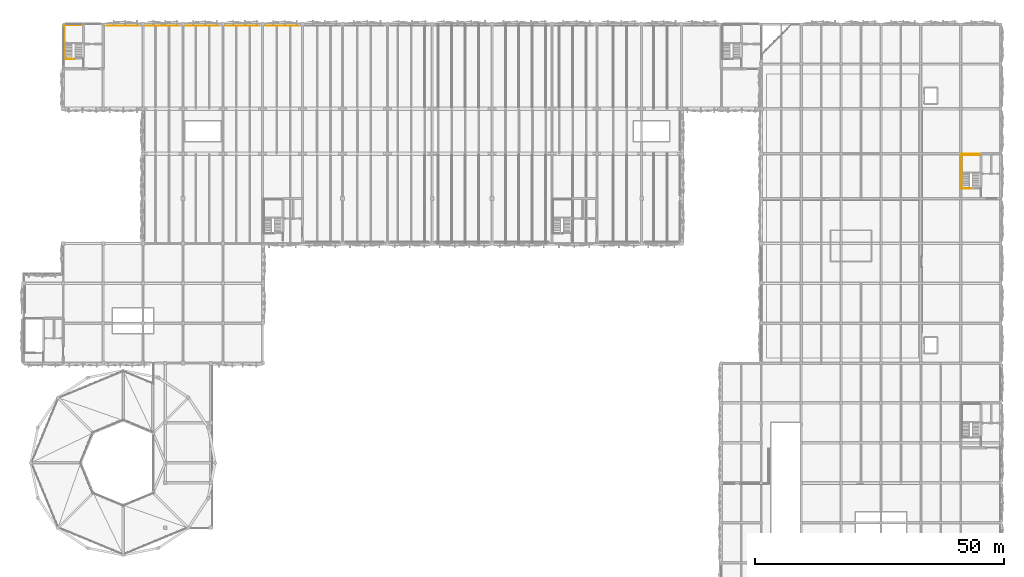
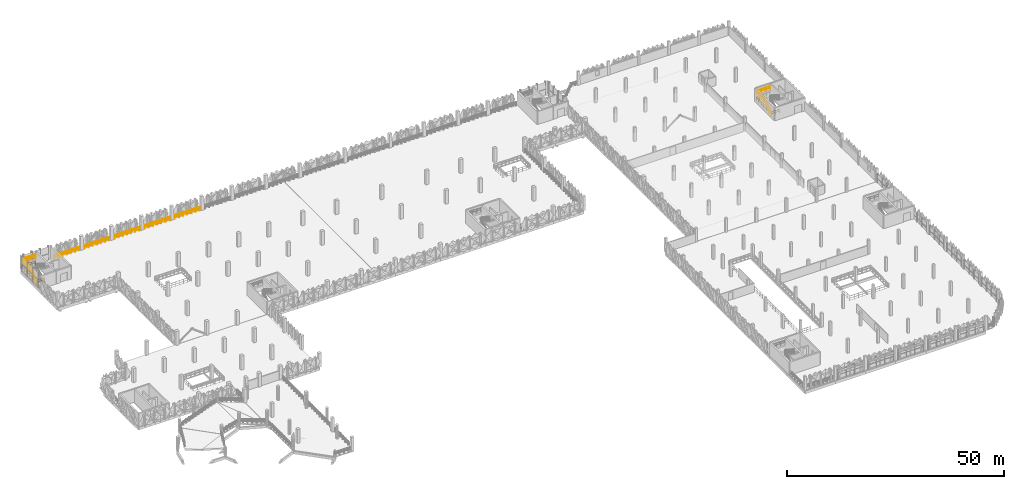
# One storey, part 81 of 83: 9 railings.
"""IFC4 building model written with IfcOpenShell, lengths in metres."""

import ifcopenshell
import ifcopenshell.guid

model = None  # the IFC model being written
_history = None  # IfcOwnerHistory: only IFC2X3 demands one
_inside = {}  # id of a spatial element -> (the spatial element, [elements in it])
_under = {}  # id of a project, library or spatial element -> (it, [spatial elements below it])
_declared = {}  # id of a project -> (the project, [libraries it declares])
_typed = {}  # id of a type object -> (the type object, [elements of that type])
_made_of = {}  # id of a material, layer set ... -> (it, [elements and type objects made of it])


def new_model(schema):
    """Start an empty IFC model of exactly this schema.

    Asked for "IFC4X3", IfcOpenShell would pick the latest addendum, in which some entities
    have other attributes; the version numbers below select the first issue.
    IFC2X3 requires an IfcOwnerHistory on every rooted entity: one is made here for all.
    """
    global model, _history
    if schema == "IFC4X3":
        model = ifcopenshell.file(schema_version=(4, 3, 0, 0))
    else:
        model = ifcopenshell.file(schema=schema)
    _inside.clear()
    _under.clear()
    _declared.clear()
    _typed.clear()
    _made_of.clear()
    _history = None
    if model.schema == "IFC2X3":
        org = make("IfcOrganization", Name="unknown")
        user = make(
            "IfcPersonAndOrganization",
            ThePerson=make("IfcPerson", FamilyName="unknown"),
            TheOrganization=org,
        )
        app = make(
            "IfcApplication",
            ApplicationDeveloper=org,
            Version="unknown",
            ApplicationFullName="unknown",
            ApplicationIdentifier="unknown",
        )
        _history = make(
            "IfcOwnerHistory",
            OwningUser=user,
            OwningApplication=app,
            ChangeAction="ADDED",
            CreationDate=0,
        )
    return model


def make(cls, **values):
    """One entity of the class cls with the attributes given. An attribute that is None is left unset."""
    return model.create_entity(
        cls, **{name: value for name, value in values.items() if value is not None}
    )


def rooted(cls, **values):
    """An entity with a GlobalId (a new one), such as an element, a storey or a relation."""
    return make(cls, GlobalId=ifcopenshell.guid.new(), OwnerHistory=_history, **values)


def si_unit(unit_type, name, prefix=None):
    """IfcSIUnit, for example si_unit("LENGTHUNIT", "METRE", prefix="MILLI")."""
    return make("IfcSIUnit", UnitType=unit_type, Prefix=prefix, Name=name)


def derived_unit(unit_type, elements):
    """IfcDerivedUnit: a product of units, each with its exponent."""
    return make(
        "IfcDerivedUnit",
        Elements=[
            make("IfcDerivedUnitElement", Unit=unit, Exponent=power)
            for unit, power in elements
        ],
        UnitType=unit_type,
    )


def assignment(units):
    """IfcUnitAssignment: the units of a project."""
    return None if units is None else make("IfcUnitAssignment", Units=units)


def point(xyz):
    """IfcCartesianPoint."""
    return None if xyz is None else make("IfcCartesianPoint", Coordinates=xyz)


def direction(xyz):
    """IfcDirection."""
    return None if xyz is None else make("IfcDirection", DirectionRatios=xyz)


def frame(location, z_axis=None, x_axis=None):
    """IfcAxis2Placement3D, a coordinate frame: its origin and axes. An axis left out is left unset."""
    return make(
        "IfcAxis2Placement3D",
        Location=point(location),
        Axis=direction(z_axis),
        RefDirection=direction(x_axis),
    )


def frame_2d(location, x_axis=None):
    """IfcAxis2Placement2D, a coordinate frame in the plane: its origin and x axis."""
    return make(
        "IfcAxis2Placement2D", Location=point(location), RefDirection=direction(x_axis)
    )


def origin():
    """The frame at (0, 0, 0) with its axes left unset."""
    return frame((0.0, 0.0, 0.0))


def origin_2d():
    """The frame at (0, 0) in the plane with its x axis left unset."""
    return frame_2d((0.0, 0.0))


def place(relative_to, where):
    """IfcLocalPlacement: puts the frame where relative to a parent placement (None: the world)."""
    return make(
        "IfcLocalPlacement", PlacementRelTo=relative_to, RelativePlacement=where
    )


def context(
    kind, dimensions, precision=None, world=None, true_north=None, identifier=None
):
    """IfcGeometricRepresentationContext, for example the 3D "Model" context."""
    return make(
        "IfcGeometricRepresentationContext",
        ContextIdentifier=identifier,
        ContextType=kind,
        CoordinateSpaceDimension=dimensions,
        Precision=precision,
        WorldCoordinateSystem=world,
        TrueNorth=true_north,
    )


def subcontext(parent, identifier, kind, view, scale=None):
    """IfcGeometricRepresentationSubContext, for example "Body" below "Model"."""
    return make(
        "IfcGeometricRepresentationSubContext",
        ContextIdentifier=identifier,
        ContextType=kind,
        ParentContext=parent,
        TargetScale=scale,
        TargetView=view,
    )


def project(units=None, contexts=None):
    """IfcProject with its units and contexts."""
    return rooted(
        "IfcProject",
        Name="project",
        RepresentationContexts=contexts,
        UnitsInContext=assignment(units),
    )


def spatial(cls, under=None, at=None, **own):
    """A site, building, storey or space (cls), placed at a placement, below another one or the project."""
    s = rooted(cls, ObjectPlacement=at, **own)
    if under is not None:
        _under.setdefault(under.id(), (under, []))[1].append(s)
    return s


def profile(cls, at=None, kind="AREA", **sizes):
    """A parametric profile (cls). Its sizes go by their IFC names, for example OverallWidth=200.0."""
    return make(cls, ProfileType=kind, Position=at, **sizes)


def circle(**sizes):
    """IfcCircleProfileDef."""
    return profile("IfcCircleProfileDef", **sizes)


def extrude(swept, where, along, depth):
    """IfcExtrudedAreaSolid: the profile swept, set in the frame where, extruded along a direction by depth."""
    return make(
        "IfcExtrudedAreaSolid",
        SweptArea=swept,
        Position=where,
        ExtrudedDirection=direction(along),
        Depth=depth,
    )


def shape(context_of_items, identifier, shape_type, items):
    """IfcShapeRepresentation: the items that make up one representation, for example the "Body"."""
    return make(
        "IfcShapeRepresentation",
        ContextOfItems=context_of_items,
        RepresentationIdentifier=identifier,
        RepresentationType=shape_type,
        Items=items,
    )


def material(Name=None, Category=None):
    """IfcMaterial."""
    return make("IfcMaterial", Name=Name, Category=Category)


def made_of(thing, what):
    """Note that an element or type object is made of a material, layer set ...; save() writes the relation."""
    if what is not None:
        _made_of.setdefault(what.id(), (what, []))[1].append(thing)
    return thing


def type_object(cls, material=None, **own):
    """A type object (cls), such as IfcWallType, which elements share."""
    return made_of(rooted(cls, **own), material)


def element(
    cls,
    number,
    at=None,
    inside=None,
    cuts=None,
    type_object=None,
    material=None,
    context=None,
    identifier="Body",
    shape_type=None,
    held_by="IfcProductDefinitionShape",
    body=None,
    shapes=None,
    **own,
):
    """One element of the class cls, such as IfcWall. Its Tag is "e" and its number.

    at: its placement. inside: the storey or other place that contains it. cuts: it is an
    opening in that element (IfcRelVoidsElement). A single representation is given by context,
    identifier, shape_type and body (its items); several are given by shapes. held_by: the class
    of the entity that holds the representations. save() writes the other relations.
    """
    e = rooted(cls, Tag="e%d" % number, ObjectPlacement=at, **own)
    if body is not None:
        shapes = [shape(context, identifier, shape_type, body)]
    if shapes is not None:
        e.Representation = make(held_by, Representations=shapes)
    if inside is not None:
        _inside.setdefault(inside.id(), (inside, []))[1].append(e)
    if cuts is not None:
        rooted(
            "IfcRelVoidsElement", RelatingBuildingElement=cuts, RelatedOpeningElement=e
        )
    if type_object is not None:
        _typed.setdefault(type_object.id(), (type_object, []))[1].append(e)
    return made_of(e, material)


def aggregate(whole, parts):
    """IfcRelAggregates: a whole, such as a stair, and the parts it consists of."""
    return rooted("IfcRelAggregates", RelatingObject=whole, RelatedObjects=parts)


def save(model, path):
    """Write the relations noted so far, then the file.

    IfcRelAggregates (storeys below a building ...), IfcRelContainedInSpatialStructure (elements
    in a storey), IfcRelDefinesByType, IfcRelAssociatesMaterial and IfcRelDeclares: one each for
    every whole, place, type object, material and project.
    """
    for whole, parts in _under.values():
        aggregate(whole, parts)
    for where, things in _inside.values():
        rooted(
            "IfcRelContainedInSpatialStructure",
            RelatedElements=things,
            RelatingStructure=where,
        )
    for kind, things in _typed.values():
        rooted("IfcRelDefinesByType", RelatedObjects=things, RelatingType=kind)
    for what, things in _made_of.values():
        rooted("IfcRelAssociatesMaterial", RelatedObjects=things, RelatingMaterial=what)
    for by, libraries in _declared.values():
        rooted("IfcRelDeclares", RelatingContext=by, RelatedDefinitions=libraries)
    model.write(path)


model = new_model("IFC4")

# Units and contexts
model_context = context("Model", 3, precision=1e-05, world=origin(), true_north=direction((0.0, 1.0)))
body_context = subcontext(model_context, "Body", "Model", "MODEL_VIEW")
ifc_project = project(units=[si_unit("LENGTHUNIT", "METRE"), si_unit("AREAUNIT", "SQUARE_METRE"), si_unit("VOLUMEUNIT", "CUBIC_METRE"), si_unit("PLANEANGLEUNIT", "RADIAN"), si_unit("MASSUNIT", "GRAM", prefix="KILO"), si_unit("THERMODYNAMICTEMPERATUREUNIT", "KELVIN"), derived_unit("THERMALTRANSMITTANCEUNIT", [(si_unit("POWERUNIT", "WATT"), 1), (si_unit("AREAUNIT", "SQUARE_METRE"), -1), (si_unit("THERMODYNAMICTEMPERATUREUNIT", "KELVIN"), -1)])], contexts=[model_context])

# Site, building, storey
site_placement = place(None, origin())
site = spatial("IfcSite", under=ifc_project, at=site_placement, CompositionType="ELEMENT")
building_placement = place(site_placement, origin())
building = spatial("IfcBuilding", under=site, at=building_placement, Name="Haiyu Intermodal Mobility Hub", CompositionType="ELEMENT")
storey_placement = place(building_placement, frame((0.0, 0.0, 13.39990234375)))
storey = spatial("IfcBuildingStorey", under=building, at=storey_placement, Name="L03", CompositionType="ELEMENT", Elevation=13.39990234375)

# Railings
ifc_material = material(Name="Steel Q355C", Category="steel")
railing_type_1 = type_object("IfcRailingType", Name="RAL-GR01", PredefinedType="GUARDRAIL", material=ifc_material)
railing_1_placement = place(storey_placement, frame((37.300048828125, 147.659912109375, 0.0)))
element("IfcRailing", 1, at=railing_1_placement, inside=storey, type_object=railing_type_1, Name="RAL-CAR-N-0011", PredefinedType="GUARDRAIL", context=body_context, shape_type="SweptSolid", body=[
    extrude(circle(Radius=0.02392578125, at=origin_2d()), frame((-0.030029296875, 0.0, 1.17578125), z_axis=(-1.0, 0.0, 0.0), x_axis=(0.0, -1.0, 0.0)), (0.0, 0.0, 1.0), 6.5400390625),
    extrude(circle(Radius=0.02392578125, at=origin_2d()), frame((-0.037353515625, 0.0, 0.60009765625), z_axis=(-1.0, 0.0, 0.0), x_axis=(0.0, -1.0, 0.0)), (0.0, 0.0, 1.0), 1.025390625),
    extrude(circle(Radius=0.02392578125, at=origin_2d()), frame((-1.13720703125, 0.0, 0.60009765625), z_axis=(-1.0, 0.0, 0.0), x_axis=(0.0, -1.0, 0.0)), (0.0, 0.0, 1.0), 1.025390625),
    extrude(circle(Radius=0.02392578125, at=origin_2d()), frame((-2.2373046875, 0.0, 0.60009765625), z_axis=(-1.0, 0.0, 0.0), x_axis=(0.0, -1.0, 0.0)), (0.0, 0.0, 1.0), 1.025390625),
    extrude(circle(Radius=0.02392578125, at=origin_2d()), frame((-3.33740234375, 0.0, 0.60009765625), z_axis=(-1.0, 0.0, 0.0), x_axis=(0.0, -1.0, 0.0)), (0.0, 0.0, 1.0), 1.025390625),
    extrude(circle(Radius=0.02392578125, at=origin_2d()), frame((-4.437255859375, 0.0, 0.60009765625), z_axis=(-1.0, 0.0, 0.0), x_axis=(0.0, -1.0, 0.0)), (0.0, 0.0, 1.0), 1.025390625),
    extrude(circle(Radius=0.02392578125, at=origin_2d()), frame((-5.537353515625, 0.0, 0.60009765625), z_axis=(-1.0, 0.0, 0.0), x_axis=(0.0, -1.0, 0.0)), (0.0, 0.0, 1.0), 1.025390625),
    extrude(circle(Radius=0.02099609375, at=origin_2d()), origin(), (0.0, 0.0, 1.0), 1.143798828125),
    extrude(circle(Radius=0.02099609375, at=origin_2d()), frame((-1.10009765625, 0.0, 0.0)), (0.0, 0.0, 1.0), 1.143798828125),
    extrude(circle(Radius=0.02099609375, at=origin_2d()), frame((-2.199951171875, 0.0, 0.0)), (0.0, 0.0, 1.0), 1.143798828125),
    extrude(circle(Radius=0.02099609375, at=origin_2d()), frame((-3.300048828125, 0.0, 0.0)), (0.0, 0.0, 1.0), 1.143798828125),
    extrude(circle(Radius=0.02099609375, at=origin_2d()), frame((-4.400146484375, 0.0, 0.0)), (0.0, 0.0, 1.0), 1.143798828125),
    extrude(circle(Radius=0.02099609375, at=origin_2d()), frame((-5.5, 0.0, 0.0)), (0.0, 0.0, 1.0), 1.143798828125),
    extrude(circle(Radius=0.02099609375, at=origin_2d()), frame((-6.60009765625, 0.0, 0.0)), (0.0, 0.0, 1.0), 1.143798828125),
])
railing_2_placement = place(storey_placement, frame((45.300048828125, 147.659912109375, 0.0)))
element("IfcRailing", 2, at=railing_2_placement, inside=storey, type_object=railing_type_1, Name="RAL-CAR-N-0016", PredefinedType="GUARDRAIL", context=body_context, shape_type="SweptSolid", body=[
    extrude(circle(Radius=0.02392578125, at=origin_2d()), frame((-0.030029296875, 0.0, 1.17578125), z_axis=(-1.0, 0.0, 0.0), x_axis=(0.0, -1.0, 0.0)), (0.0, 0.0, 1.0), 6.5400390625),
    extrude(circle(Radius=0.02392578125, at=origin_2d()), frame((-0.037353515625, 0.0, 0.60009765625), z_axis=(-1.0, 0.0, 0.0), x_axis=(0.0, -1.0, 0.0)), (0.0, 0.0, 1.0), 1.025390625),
    extrude(circle(Radius=0.02392578125, at=origin_2d()), frame((-1.13720703125, 0.0, 0.60009765625), z_axis=(-1.0, 0.0, 0.0), x_axis=(0.0, -1.0, 0.0)), (0.0, 0.0, 1.0), 1.025390625),
    extrude(circle(Radius=0.02392578125, at=origin_2d()), frame((-2.2373046875, 0.0, 0.60009765625), z_axis=(-1.0, 0.0, 0.0), x_axis=(0.0, -1.0, 0.0)), (0.0, 0.0, 1.0), 1.025390625),
    extrude(circle(Radius=0.02392578125, at=origin_2d()), frame((-3.33740234375, 0.0, 0.60009765625), z_axis=(-1.0, 0.0, 0.0), x_axis=(0.0, -1.0, 0.0)), (0.0, 0.0, 1.0), 1.025390625),
    extrude(circle(Radius=0.02392578125, at=origin_2d()), frame((-4.437255859375, 0.0, 0.60009765625), z_axis=(-1.0, 0.0, 0.0), x_axis=(0.0, -1.0, 0.0)), (0.0, 0.0, 1.0), 1.025390625),
    extrude(circle(Radius=0.02392578125, at=origin_2d()), frame((-5.537353515625, 0.0, 0.60009765625), z_axis=(-1.0, 0.0, 0.0), x_axis=(0.0, -1.0, 0.0)), (0.0, 0.0, 1.0), 1.025390625),
    extrude(circle(Radius=0.02099609375, at=origin_2d()), origin(), (0.0, 0.0, 1.0), 1.143798828125),
    extrude(circle(Radius=0.02099609375, at=origin_2d()), frame((-1.10009765625, 0.0, 0.0)), (0.0, 0.0, 1.0), 1.143798828125),
    extrude(circle(Radius=0.02099609375, at=origin_2d()), frame((-2.199951171875, 0.0, 0.0)), (0.0, 0.0, 1.0), 1.143798828125),
    extrude(circle(Radius=0.02099609375, at=origin_2d()), frame((-3.300048828125, 0.0, 0.0)), (0.0, 0.0, 1.0), 1.143798828125),
    extrude(circle(Radius=0.02099609375, at=origin_2d()), frame((-4.400146484375, 0.0, 0.0)), (0.0, 0.0, 1.0), 1.143798828125),
    extrude(circle(Radius=0.02099609375, at=origin_2d()), frame((-5.5, 0.0, 0.0)), (0.0, 0.0, 1.0), 1.143798828125),
    extrude(circle(Radius=0.02099609375, at=origin_2d()), frame((-6.60009765625, 0.0, 0.0)), (0.0, 0.0, 1.0), 1.143798828125),
])
railing_3_placement = place(storey_placement, frame((53.300048828125, 147.659912109375, 0.0)))
element("IfcRailing", 3, at=railing_3_placement, inside=storey, type_object=railing_type_1, Name="RAL-CAR-N-0022", PredefinedType="GUARDRAIL", context=body_context, shape_type="SweptSolid", body=[
    extrude(circle(Radius=0.02392578125, at=origin_2d()), frame((-0.030029296875, 0.0, 1.17578125), z_axis=(-1.0, 0.0, 0.0), x_axis=(0.0, -1.0, 0.0)), (0.0, 0.0, 1.0), 6.5400390625),
    extrude(circle(Radius=0.02392578125, at=origin_2d()), frame((-0.037353515625, 0.0, 0.60009765625), z_axis=(-1.0, 0.0, 0.0), x_axis=(0.0, -1.0, 0.0)), (0.0, 0.0, 1.0), 1.025390625),
    extrude(circle(Radius=0.02392578125, at=origin_2d()), frame((-1.13720703125, 0.0, 0.60009765625), z_axis=(-1.0, 0.0, 0.0), x_axis=(0.0, -1.0, 0.0)), (0.0, 0.0, 1.0), 1.025390625),
    extrude(circle(Radius=0.02392578125, at=origin_2d()), frame((-2.2373046875, 0.0, 0.60009765625), z_axis=(-1.0, 0.0, 0.0), x_axis=(0.0, -1.0, 0.0)), (0.0, 0.0, 1.0), 1.025390625),
    extrude(circle(Radius=0.02392578125, at=origin_2d()), frame((-3.33740234375, 0.0, 0.60009765625), z_axis=(-1.0, 0.0, 0.0), x_axis=(0.0, -1.0, 0.0)), (0.0, 0.0, 1.0), 1.025390625),
    extrude(circle(Radius=0.02392578125, at=origin_2d()), frame((-4.437255859375, 0.0, 0.60009765625), z_axis=(-1.0, 0.0, 0.0), x_axis=(0.0, -1.0, 0.0)), (0.0, 0.0, 1.0), 1.025390625),
    extrude(circle(Radius=0.02392578125, at=origin_2d()), frame((-5.537353515625, 0.0, 0.60009765625), z_axis=(-1.0, 0.0, 0.0), x_axis=(0.0, -1.0, 0.0)), (0.0, 0.0, 1.0), 1.025390625),
    extrude(circle(Radius=0.02099609375, at=origin_2d()), origin(), (0.0, 0.0, 1.0), 1.143798828125),
    extrude(circle(Radius=0.02099609375, at=origin_2d()), frame((-1.10009765625, 0.0, 0.0)), (0.0, 0.0, 1.0), 1.143798828125),
    extrude(circle(Radius=0.02099609375, at=origin_2d()), frame((-2.199951171875, 0.0, 0.0)), (0.0, 0.0, 1.0), 1.143798828125),
    extrude(circle(Radius=0.02099609375, at=origin_2d()), frame((-3.300048828125, 0.0, 0.0)), (0.0, 0.0, 1.0), 1.143798828125),
    extrude(circle(Radius=0.02099609375, at=origin_2d()), frame((-4.400146484375, 0.0, 0.0)), (0.0, 0.0, 1.0), 1.143798828125),
    extrude(circle(Radius=0.02099609375, at=origin_2d()), frame((-5.5, 0.0, 0.0)), (0.0, 0.0, 1.0), 1.143798828125),
    extrude(circle(Radius=0.02099609375, at=origin_2d()), frame((-6.60009765625, 0.0, 0.0)), (0.0, 0.0, 1.0), 1.143798828125),
])
railing_4_placement = place(storey_placement, frame((61.300048828125, 147.659912109375, 0.0)))
element("IfcRailing", 4, at=railing_4_placement, inside=storey, type_object=railing_type_1, Name="RAL-CAR-N-0027", PredefinedType="GUARDRAIL", context=body_context, shape_type="SweptSolid", body=[
    extrude(circle(Radius=0.02392578125, at=origin_2d()), frame((-0.030029296875, 0.0, 1.17578125), z_axis=(-1.0, 0.0, 0.0), x_axis=(0.0, -1.0, 0.0)), (0.0, 0.0, 1.0), 6.5400390625),
    extrude(circle(Radius=0.02392578125, at=origin_2d()), frame((-0.037353515625, 0.0, 0.60009765625), z_axis=(-1.0, 0.0, 0.0), x_axis=(0.0, -1.0, 0.0)), (0.0, 0.0, 1.0), 1.025390625),
    extrude(circle(Radius=0.02392578125, at=origin_2d()), frame((-1.13720703125, 0.0, 0.60009765625), z_axis=(-1.0, 0.0, 0.0), x_axis=(0.0, -1.0, 0.0)), (0.0, 0.0, 1.0), 1.025390625),
    extrude(circle(Radius=0.02392578125, at=origin_2d()), frame((-2.2373046875, 0.0, 0.60009765625), z_axis=(-1.0, 0.0, 0.0), x_axis=(0.0, -1.0, 0.0)), (0.0, 0.0, 1.0), 1.025390625),
    extrude(circle(Radius=0.02392578125, at=origin_2d()), frame((-3.33740234375, 0.0, 0.60009765625), z_axis=(-1.0, 0.0, 0.0), x_axis=(0.0, -1.0, 0.0)), (0.0, 0.0, 1.0), 1.025390625),
    extrude(circle(Radius=0.02392578125, at=origin_2d()), frame((-4.437255859375, 0.0, 0.60009765625), z_axis=(-1.0, 0.0, 0.0), x_axis=(0.0, -1.0, 0.0)), (0.0, 0.0, 1.0), 1.025390625),
    extrude(circle(Radius=0.02392578125, at=origin_2d()), frame((-5.537353515625, 0.0, 0.60009765625), z_axis=(-1.0, 0.0, 0.0), x_axis=(0.0, -1.0, 0.0)), (0.0, 0.0, 1.0), 1.025390625),
    extrude(circle(Radius=0.02099609375, at=origin_2d()), origin(), (0.0, 0.0, 1.0), 1.143798828125),
    extrude(circle(Radius=0.02099609375, at=origin_2d()), frame((-1.10009765625, 0.0, 0.0)), (0.0, 0.0, 1.0), 1.143798828125),
    extrude(circle(Radius=0.02099609375, at=origin_2d()), frame((-2.199951171875, 0.0, 0.0)), (0.0, 0.0, 1.0), 1.143798828125),
    extrude(circle(Radius=0.02099609375, at=origin_2d()), frame((-3.300048828125, 0.0, 0.0)), (0.0, 0.0, 1.0), 1.143798828125),
    extrude(circle(Radius=0.02099609375, at=origin_2d()), frame((-4.400146484375, 0.0, 0.0)), (0.0, 0.0, 1.0), 1.143798828125),
    extrude(circle(Radius=0.02099609375, at=origin_2d()), frame((-5.5, 0.0, 0.0)), (0.0, 0.0, 1.0), 1.143798828125),
    extrude(circle(Radius=0.02099609375, at=origin_2d()), frame((-6.60009765625, 0.0, 0.0)), (0.0, 0.0, 1.0), 1.143798828125),
])
railing_5_placement = place(storey_placement, frame((69.300048828125, 147.659912109375, 0.0)))
element("IfcRailing", 5, at=railing_5_placement, inside=storey, type_object=railing_type_1, Name="RAL-CAR-N-0032", PredefinedType="GUARDRAIL", context=body_context, shape_type="SweptSolid", body=[
    extrude(circle(Radius=0.02392578125, at=origin_2d()), frame((-0.030029296875, 0.0, 1.17578125), z_axis=(-1.0, 0.0, 0.0), x_axis=(0.0, -1.0, 0.0)), (0.0, 0.0, 1.0), 6.5400390625),
    extrude(circle(Radius=0.02392578125, at=origin_2d()), frame((-0.037353515625, 0.0, 0.60009765625), z_axis=(-1.0, 0.0, 0.0), x_axis=(0.0, -1.0, 0.0)), (0.0, 0.0, 1.0), 1.025390625),
    extrude(circle(Radius=0.02392578125, at=origin_2d()), frame((-1.13720703125, 0.0, 0.60009765625), z_axis=(-1.0, 0.0, 0.0), x_axis=(0.0, -1.0, 0.0)), (0.0, 0.0, 1.0), 1.025390625),
    extrude(circle(Radius=0.02392578125, at=origin_2d()), frame((-2.2373046875, 0.0, 0.60009765625), z_axis=(-1.0, 0.0, 0.0), x_axis=(0.0, -1.0, 0.0)), (0.0, 0.0, 1.0), 1.025390625),
    extrude(circle(Radius=0.02392578125, at=origin_2d()), frame((-3.33740234375, 0.0, 0.60009765625), z_axis=(-1.0, 0.0, 0.0), x_axis=(0.0, -1.0, 0.0)), (0.0, 0.0, 1.0), 1.025390625),
    extrude(circle(Radius=0.02392578125, at=origin_2d()), frame((-4.437255859375, 0.0, 0.60009765625), z_axis=(-1.0, 0.0, 0.0), x_axis=(0.0, -1.0, 0.0)), (0.0, 0.0, 1.0), 1.025390625),
    extrude(circle(Radius=0.02392578125, at=origin_2d()), frame((-5.537353515625, 0.0, 0.60009765625), z_axis=(-1.0, 0.0, 0.0), x_axis=(0.0, -1.0, 0.0)), (0.0, 0.0, 1.0), 1.025390625),
    extrude(circle(Radius=0.02099609375, at=origin_2d()), origin(), (0.0, 0.0, 1.0), 1.143798828125),
    extrude(circle(Radius=0.02099609375, at=origin_2d()), frame((-1.10009765625, 0.0, 0.0)), (0.0, 0.0, 1.0), 1.143798828125),
    extrude(circle(Radius=0.02099609375, at=origin_2d()), frame((-2.199951171875, 0.0, 0.0)), (0.0, 0.0, 1.0), 1.143798828125),
    extrude(circle(Radius=0.02099609375, at=origin_2d()), frame((-3.300048828125, 0.0, 0.0)), (0.0, 0.0, 1.0), 1.143798828125),
    extrude(circle(Radius=0.02099609375, at=origin_2d()), frame((-4.400146484375, 0.0, 0.0)), (0.0, 0.0, 1.0), 1.143798828125),
    extrude(circle(Radius=0.02099609375, at=origin_2d()), frame((-5.5, 0.0, 0.0)), (0.0, 0.0, 1.0), 1.143798828125),
    extrude(circle(Radius=0.02099609375, at=origin_2d()), frame((-6.60009765625, 0.0, 0.0)), (0.0, 0.0, 1.0), 1.143798828125),
])
railing_type_2 = type_object("IfcRailingType", Name="RAL-GR03", PredefinedType="GUARDRAIL", material=ifc_material)
railing_6_placement = place(storey_placement, frame((24.31005859375, 141.010009765625, 0.0)))
element("IfcRailing", 6, at=railing_6_placement, inside=storey, type_object=railing_type_2, Name="Stair Shaft Floor Guard STR-C3-L02", PredefinedType="GUARDRAIL", context=body_context, shape_type="SweptSolid", body=[
    extrude(circle(Radius=0.02392578125, at=origin_2d()), frame((-0.030029296875, 0.0, 1.09619140625), z_axis=(-1.0, 0.0, 0.0), x_axis=(0.0, -1.0, 0.0)), (0.0, 0.0, 1.0), 2.030029296875),
    extrude(circle(Radius=0.02392578125, at=origin_2d()), frame((-0.037353515625, 0.0, 0.56005859375), z_axis=(-1.0, 0.0, 0.0), x_axis=(0.0, -1.0, 0.0)), (0.0, 0.0, 1.0), 0.970458984375),
    extrude(circle(Radius=0.02392578125, at=origin_2d()), frame((-1.082275390625, 0.0, 0.56005859375), z_axis=(-1.0, 0.0, 0.0), x_axis=(0.0, -1.0, 0.0)), (0.0, 0.0, 1.0), 0.970458984375),
    extrude(circle(Radius=0.02392578125, at=origin_2d()), frame((-2.090087890625, 0.030029296875, 1.09619140625), z_axis=(0.0, 1.0, 0.0), x_axis=(-1.0, 0.0, 0.0)), (0.0, 0.0, 1.0), 6.8798828125),
    extrude(circle(Radius=0.02392578125, at=origin_2d()), frame((-2.090087890625, 0.037353515625, 0.56005859375), z_axis=(0.0, 1.0, 0.0), x_axis=(-1.0, 0.0, 0.0)), (0.0, 0.0, 1.0), 1.08203125),
    extrude(circle(Radius=0.02392578125, at=origin_2d()), frame((-2.090087890625, 1.19384765625, 0.56005859375), z_axis=(0.0, 1.0, 0.0), x_axis=(-1.0, 0.0, 0.0)), (0.0, 0.0, 1.0), 1.08203125),
    extrude(circle(Radius=0.02392578125, at=origin_2d()), frame((-2.090087890625, 2.3505859375, 0.56005859375), z_axis=(0.0, 1.0, 0.0), x_axis=(-1.0, 0.0, 0.0)), (0.0, 0.0, 1.0), 1.08203125),
    extrude(circle(Radius=0.02392578125, at=origin_2d()), frame((-2.090087890625, 3.50732421875, 0.56005859375), z_axis=(0.0, 1.0, 0.0), x_axis=(-1.0, 0.0, 0.0)), (0.0, 0.0, 1.0), 1.08203125),
    extrude(circle(Radius=0.02392578125, at=origin_2d()), frame((-2.090087890625, 4.663818359375, 0.56005859375), z_axis=(0.0, 1.0, 0.0), x_axis=(-1.0, 0.0, 0.0)), (0.0, 0.0, 1.0), 1.08203125),
    extrude(circle(Radius=0.02392578125, at=origin_2d()), frame((-2.090087890625, 5.820556640625, 0.56005859375), z_axis=(0.0, 1.0, 0.0), x_axis=(-1.0, 0.0, 0.0)), (0.0, 0.0, 1.0), 1.08203125),
    extrude(circle(Radius=0.02392578125, at=origin_2d()), frame((-2.06005859375, 6.93994140625, 1.09619140625), z_axis=(1.0, 0.0, 0.0), x_axis=(0.0, 1.0, 0.0)), (0.0, 0.0, 1.0), 3.590087890625),
    extrude(circle(Radius=0.02392578125, at=origin_2d()), frame((-2.052734375, 6.93994140625, 0.56005859375), z_axis=(1.0, 0.0, 0.0), x_axis=(0.0, 1.0, 0.0)), (0.0, 0.0, 1.0), 0.837890625),
    extrude(circle(Radius=0.02392578125, at=origin_2d()), frame((-1.14013671875, 6.93994140625, 0.56005859375), z_axis=(1.0, 0.0, 0.0), x_axis=(0.0, 1.0, 0.0)), (0.0, 0.0, 1.0), 0.837890625),
    extrude(circle(Radius=0.02392578125, at=origin_2d()), frame((-0.227783203125, 6.93994140625, 0.56005859375), z_axis=(1.0, 0.0, 0.0), x_axis=(0.0, 1.0, 0.0)), (0.0, 0.0, 1.0), 0.837890625),
    extrude(circle(Radius=0.02392578125, at=origin_2d()), frame((0.684814453125, 6.93994140625, 0.56005859375), z_axis=(1.0, 0.0, 0.0), x_axis=(0.0, 1.0, 0.0)), (0.0, 0.0, 1.0), 0.837890625),
    extrude(circle(Radius=0.02099609375, at=origin_2d()), origin(), (0.0, 0.0, 1.0), 1.06396484375),
    extrude(circle(Radius=0.02099609375, at=origin_2d()), frame((-1.044921875, 0.0, 0.0)), (0.0, 0.0, 1.0), 1.06396484375),
    extrude(circle(Radius=0.02099609375, at=origin_2d()), frame((-2.090087890625, 0.0, 0.0)), (0.0, 0.0, 1.0), 1.06396484375),
    extrude(circle(Radius=0.02099609375, at=origin_2d()), frame((-2.090087890625, 1.15673828125, 0.0)), (0.0, 0.0, 1.0), 1.06396484375),
    extrude(circle(Radius=0.02099609375, at=origin_2d()), frame((-2.090087890625, 2.313232421875, 0.0)), (0.0, 0.0, 1.0), 1.06396484375),
    extrude(circle(Radius=0.02099609375, at=origin_2d()), frame((-2.090087890625, 3.469970703125, 0.0)), (0.0, 0.0, 1.0), 1.06396484375),
    extrude(circle(Radius=0.02099609375, at=origin_2d()), frame((-2.090087890625, 4.626708984375, 0.0)), (0.0, 0.0, 1.0), 1.06396484375),
    extrude(circle(Radius=0.02099609375, at=origin_2d()), frame((-2.090087890625, 5.783203125, 0.0)), (0.0, 0.0, 1.0), 1.06396484375),
    extrude(circle(Radius=0.02099609375, at=origin_2d()), frame((-2.090087890625, 6.93994140625, 0.0)), (0.0, 0.0, 1.0), 1.06396484375),
    extrude(circle(Radius=0.02099609375, at=origin_2d()), frame((-1.177490234375, 6.93994140625, 0.0)), (0.0, 0.0, 1.0), 1.06396484375),
    extrude(circle(Radius=0.02099609375, at=origin_2d()), frame((-0.26513671875, 6.93994140625, 0.0)), (0.0, 0.0, 1.0), 1.06396484375),
    extrude(circle(Radius=0.02099609375, at=origin_2d()), frame((0.6474609375, 6.93994140625, 0.0)), (0.0, 0.0, 1.0), 1.06396484375),
    extrude(circle(Radius=0.02099609375, at=origin_2d()), frame((1.56005859375, 6.93994140625, 0.0)), (0.0, 0.0, 1.0), 1.06396484375),
])
railing_7_placement = place(storey_placement, frame((22.25, 141.050048828125, 0.0)))
element("IfcRailing", 7, at=railing_7_placement, inside=storey, type_object=railing_type_2, Name="Stair Outer Guard STR-C3-L03", PredefinedType="GUARDRAIL", context=body_context, shape_type="SweptSolid", body=[
    extrude(circle(Radius=0.02392578125, at=origin_2d()), frame((0.0, 0.025390625, 1.112060546875), z_axis=(0.0, 0.844864482441, 0.534980379369), x_axis=(-1.0, 0.0, 0.0)), (0.0, 0.0, 1.0), 3.58544921875),
    extrude(circle(Radius=0.02392578125, at=origin_2d()), frame((0.0, 0.031494140625, 0.580078125), z_axis=(0.0, 0.844864482441, 0.534980379369), x_axis=(-1.0, 0.0, 0.0)), (0.0, 0.0, 1.0), 0.836669921875),
    extrude(circle(Radius=0.02392578125, at=origin_2d()), frame((0.0, 0.801513671875, 1.067626953125), z_axis=(0.0, 0.844864482441, 0.534980379369), x_axis=(-1.0, 0.0, 0.0)), (0.0, 0.0, 1.0), 0.836669921875),
    extrude(circle(Radius=0.02392578125, at=origin_2d()), frame((0.0, 1.571533203125, 1.55517578125), z_axis=(0.0, 0.844864482441, 0.534980379369), x_axis=(-1.0, 0.0, 0.0)), (0.0, 0.0, 1.0), 0.836669921875),
    extrude(circle(Radius=0.02392578125, at=origin_2d()), frame((0.0, 2.34130859375, 2.042724609375), z_axis=(0.0, 0.844864482441, 0.534980379369), x_axis=(-1.0, 0.0, 0.0)), (0.0, 0.0, 1.0), 0.836669921875),
    extrude(circle(Radius=0.02392578125, at=origin_2d()), frame((0.0, 3.10986328125, 3.04638671875), z_axis=(0.0, 1.0, 0.0), x_axis=(-1.0, 0.0, 0.0)), (0.0, 0.0, 1.0), 3.570068359375),
    extrude(circle(Radius=0.02392578125, at=origin_2d()), frame((0.0, 3.1171875, 2.51025390625), z_axis=(0.0, 1.0, 0.0), x_axis=(-1.0, 0.0, 0.0)), (0.0, 0.0, 1.0), 0.8330078125),
    extrude(circle(Radius=0.02392578125, at=origin_2d()), frame((0.0, 4.024658203125, 2.51025390625), z_axis=(0.0, 1.0, 0.0), x_axis=(-1.0, 0.0, 0.0)), (0.0, 0.0, 1.0), 0.8330078125),
    extrude(circle(Radius=0.02392578125, at=origin_2d()), frame((0.0, 4.93212890625, 2.51025390625), z_axis=(0.0, 1.0, 0.0), x_axis=(-1.0, 0.0, 0.0)), (0.0, 0.0, 1.0), 0.8330078125),
    extrude(circle(Radius=0.02392578125, at=origin_2d()), frame((0.0, 5.83984375, 2.51025390625), z_axis=(0.0, 1.0, 0.0), x_axis=(-1.0, 0.0, 0.0)), (0.0, 0.0, 1.0), 0.8330078125),
    extrude(circle(Radius=0.02392578125, at=origin_2d()), frame((0.030029296875, 6.7099609375, 3.04638671875), z_axis=(1.0, 0.0, 0.0), x_axis=(0.0, 1.0, 0.0)), (0.0, 0.0, 1.0), 3.52001953125),
    extrude(circle(Radius=0.02392578125, at=origin_2d()), frame((0.037353515625, 6.7099609375, 2.51025390625), z_axis=(1.0, 0.0, 0.0), x_axis=(0.0, 1.0, 0.0)), (0.0, 0.0, 1.0), 1.11865234375),
    extrude(circle(Radius=0.02392578125, at=origin_2d()), frame((1.230712890625, 6.7099609375, 2.51025390625), z_axis=(1.0, 0.0, 0.0), x_axis=(0.0, 1.0, 0.0)), (0.0, 0.0, 1.0), 1.11865234375),
    extrude(circle(Radius=0.02392578125, at=origin_2d()), frame((2.424072265625, 6.7099609375, 2.51025390625), z_axis=(1.0, 0.0, 0.0), x_axis=(0.0, 1.0, 0.0)), (0.0, 0.0, 1.0), 1.11865234375),
    extrude(circle(Radius=0.02099609375, at=origin_2d()), origin(), (0.0, 0.0, 1.0), 1.06396484375),
    extrude(circle(Radius=0.02099609375, at=origin_2d()), frame((0.0, 0.77001953125, 0.487548828125)), (0.0, 0.0, 1.0), 1.06396484375),
    extrude(circle(Radius=0.02099609375, at=origin_2d()), frame((0.0, 1.5400390625, 0.97509765625)), (0.0, 0.0, 1.0), 1.06396484375),
    extrude(circle(Radius=0.02099609375, at=origin_2d()), frame((0.0, 2.309814453125, 1.462646484375)), (0.0, 0.0, 1.0), 1.06396484375),
    extrude(circle(Radius=0.02099609375, at=origin_2d()), frame((0.0, 3.079833984375, 1.9501953125)), (0.0, 0.0, 1.0), 1.06396484375),
    extrude(circle(Radius=0.02099609375, at=origin_2d()), frame((0.0, 3.9873046875, 1.9501953125)), (0.0, 0.0, 1.0), 1.06396484375),
    extrude(circle(Radius=0.02099609375, at=origin_2d()), frame((0.0, 4.89501953125, 1.9501953125)), (0.0, 0.0, 1.0), 1.06396484375),
    extrude(circle(Radius=0.02099609375, at=origin_2d()), frame((0.0, 5.802490234375, 1.9501953125)), (0.0, 0.0, 1.0), 1.06396484375),
    extrude(circle(Radius=0.02099609375, at=origin_2d()), frame((0.0, 6.7099609375, 1.9501953125)), (0.0, 0.0, 1.0), 1.06396484375),
    extrude(circle(Radius=0.02099609375, at=origin_2d()), frame((1.193359375, 6.7099609375, 1.9501953125)), (0.0, 0.0, 1.0), 1.06396484375),
    extrude(circle(Radius=0.02099609375, at=origin_2d()), frame((2.38671875, 6.7099609375, 1.9501953125)), (0.0, 0.0, 1.0), 1.06396484375),
    extrude(circle(Radius=0.02099609375, at=origin_2d()), frame((3.580078125, 6.7099609375, 1.9501953125)), (0.0, 0.0, 1.0), 1.06396484375),
])
railing_8_placement = place(storey_placement, frame((204.31005859375, 115.010009765625, 0.0)))
element("IfcRailing", 8, at=railing_8_placement, inside=storey, type_object=railing_type_2, Name="Stair Shaft Floor Guard STR-C10-L02", PredefinedType="GUARDRAIL", context=body_context, shape_type="SweptSolid", body=[
    extrude(circle(Radius=0.02392578125, at=origin_2d()), frame((-0.030029296875, 0.0, 1.09619140625), z_axis=(-1.0, 0.0, 0.0), x_axis=(0.0, -1.0, 0.0)), (0.0, 0.0, 1.0), 2.030029296875),
    extrude(circle(Radius=0.02392578125, at=origin_2d()), frame((-0.037353515625, 0.0, 0.56005859375), z_axis=(-1.0, 0.0, 0.0), x_axis=(0.0, -1.0, 0.0)), (0.0, 0.0, 1.0), 0.970458984375),
    extrude(circle(Radius=0.02392578125, at=origin_2d()), frame((-1.082275390625, 0.0, 0.56005859375), z_axis=(-1.0, 0.0, 0.0), x_axis=(0.0, -1.0, 0.0)), (0.0, 0.0, 1.0), 0.970458984375),
    extrude(circle(Radius=0.02392578125, at=origin_2d()), frame((-2.090087890625, 0.030029296875, 1.09619140625), z_axis=(0.0, 1.0, 0.0), x_axis=(-1.0, 0.0, 0.0)), (0.0, 0.0, 1.0), 6.8798828125),
    extrude(circle(Radius=0.02392578125, at=origin_2d()), frame((-2.090087890625, 0.037353515625, 0.56005859375), z_axis=(0.0, 1.0, 0.0), x_axis=(-1.0, 0.0, 0.0)), (0.0, 0.0, 1.0), 1.08203125),
    extrude(circle(Radius=0.02392578125, at=origin_2d()), frame((-2.090087890625, 1.19384765625, 0.56005859375), z_axis=(0.0, 1.0, 0.0), x_axis=(-1.0, 0.0, 0.0)), (0.0, 0.0, 1.0), 1.08203125),
    extrude(circle(Radius=0.02392578125, at=origin_2d()), frame((-2.090087890625, 2.3505859375, 0.56005859375), z_axis=(0.0, 1.0, 0.0), x_axis=(-1.0, 0.0, 0.0)), (0.0, 0.0, 1.0), 1.08203125),
    extrude(circle(Radius=0.02392578125, at=origin_2d()), frame((-2.090087890625, 3.50732421875, 0.56005859375), z_axis=(0.0, 1.0, 0.0), x_axis=(-1.0, 0.0, 0.0)), (0.0, 0.0, 1.0), 1.08203125),
    extrude(circle(Radius=0.02392578125, at=origin_2d()), frame((-2.090087890625, 4.663818359375, 0.56005859375), z_axis=(0.0, 1.0, 0.0), x_axis=(-1.0, 0.0, 0.0)), (0.0, 0.0, 1.0), 1.08203125),
    extrude(circle(Radius=0.02392578125, at=origin_2d()), frame((-2.090087890625, 5.820556640625, 0.56005859375), z_axis=(0.0, 1.0, 0.0), x_axis=(-1.0, 0.0, 0.0)), (0.0, 0.0, 1.0), 1.08203125),
    extrude(circle(Radius=0.02392578125, at=origin_2d()), frame((-2.06005859375, 6.93994140625, 1.09619140625), z_axis=(1.0, 0.0, 0.0), x_axis=(0.0, 1.0, 0.0)), (0.0, 0.0, 1.0), 3.590087890625),
    extrude(circle(Radius=0.02392578125, at=origin_2d()), frame((-2.052734375, 6.93994140625, 0.56005859375), z_axis=(1.0, 0.0, 0.0), x_axis=(0.0, 1.0, 0.0)), (0.0, 0.0, 1.0), 0.837890625),
    extrude(circle(Radius=0.02392578125, at=origin_2d()), frame((-1.14013671875, 6.93994140625, 0.56005859375), z_axis=(1.0, 0.0, 0.0), x_axis=(0.0, 1.0, 0.0)), (0.0, 0.0, 1.0), 0.837890625),
    extrude(circle(Radius=0.02392578125, at=origin_2d()), frame((-0.227783203125, 6.93994140625, 0.56005859375), z_axis=(1.0, 0.0, 0.0), x_axis=(0.0, 1.0, 0.0)), (0.0, 0.0, 1.0), 0.837890625),
    extrude(circle(Radius=0.02392578125, at=origin_2d()), frame((0.684814453125, 6.93994140625, 0.56005859375), z_axis=(1.0, 0.0, 0.0), x_axis=(0.0, 1.0, 0.0)), (0.0, 0.0, 1.0), 0.837890625),
    extrude(circle(Radius=0.02099609375, at=origin_2d()), origin(), (0.0, 0.0, 1.0), 1.06396484375),
    extrude(circle(Radius=0.02099609375, at=origin_2d()), frame((-1.044921875, 0.0, 0.0)), (0.0, 0.0, 1.0), 1.06396484375),
    extrude(circle(Radius=0.02099609375, at=origin_2d()), frame((-2.090087890625, 0.0, 0.0)), (0.0, 0.0, 1.0), 1.06396484375),
    extrude(circle(Radius=0.02099609375, at=origin_2d()), frame((-2.090087890625, 1.15673828125, 0.0)), (0.0, 0.0, 1.0), 1.06396484375),
    extrude(circle(Radius=0.02099609375, at=origin_2d()), frame((-2.090087890625, 2.313232421875, 0.0)), (0.0, 0.0, 1.0), 1.06396484375),
    extrude(circle(Radius=0.02099609375, at=origin_2d()), frame((-2.090087890625, 3.469970703125, 0.0)), (0.0, 0.0, 1.0), 1.06396484375),
    extrude(circle(Radius=0.02099609375, at=origin_2d()), frame((-2.090087890625, 4.626708984375, 0.0)), (0.0, 0.0, 1.0), 1.06396484375),
    extrude(circle(Radius=0.02099609375, at=origin_2d()), frame((-2.090087890625, 5.783203125, 0.0)), (0.0, 0.0, 1.0), 1.06396484375),
    extrude(circle(Radius=0.02099609375, at=origin_2d()), frame((-2.090087890625, 6.93994140625, 0.0)), (0.0, 0.0, 1.0), 1.06396484375),
    extrude(circle(Radius=0.02099609375, at=origin_2d()), frame((-1.177490234375, 6.93994140625, 0.0)), (0.0, 0.0, 1.0), 1.06396484375),
    extrude(circle(Radius=0.02099609375, at=origin_2d()), frame((-0.26513671875, 6.93994140625, 0.0)), (0.0, 0.0, 1.0), 1.06396484375),
    extrude(circle(Radius=0.02099609375, at=origin_2d()), frame((0.6474609375, 6.93994140625, 0.0)), (0.0, 0.0, 1.0), 1.06396484375),
    extrude(circle(Radius=0.02099609375, at=origin_2d()), frame((1.56005859375, 6.93994140625, 0.0)), (0.0, 0.0, 1.0), 1.06396484375),
])
railing_9_placement = place(storey_placement, frame((202.25, 115.050048828125, 0.0)))
element("IfcRailing", 9, at=railing_9_placement, inside=storey, type_object=railing_type_2, Name="Stair Outer Guard STR-C10-L03", PredefinedType="GUARDRAIL", context=body_context, shape_type="SweptSolid", body=[
    extrude(circle(Radius=0.02392578125, at=origin_2d()), frame((0.0, 0.025390625, 1.112060546875), z_axis=(0.0, 0.844864482441, 0.534980379369), x_axis=(-1.0, 0.0, 0.0)), (0.0, 0.0, 1.0), 3.58544921875),
    extrude(circle(Radius=0.02392578125, at=origin_2d()), frame((0.0, 0.031494140625, 0.580078125), z_axis=(0.0, 0.844864482441, 0.534980379369), x_axis=(-1.0, 0.0, 0.0)), (0.0, 0.0, 1.0), 0.836669921875),
    extrude(circle(Radius=0.02392578125, at=origin_2d()), frame((0.0, 0.801513671875, 1.067626953125), z_axis=(0.0, 0.844864482441, 0.534980379369), x_axis=(-1.0, 0.0, 0.0)), (0.0, 0.0, 1.0), 0.836669921875),
    extrude(circle(Radius=0.02392578125, at=origin_2d()), frame((0.0, 1.571533203125, 1.55517578125), z_axis=(0.0, 0.844864482441, 0.534980379369), x_axis=(-1.0, 0.0, 0.0)), (0.0, 0.0, 1.0), 0.836669921875),
    extrude(circle(Radius=0.02392578125, at=origin_2d()), frame((0.0, 2.34130859375, 2.042724609375), z_axis=(0.0, 0.844864482441, 0.534980379369), x_axis=(-1.0, 0.0, 0.0)), (0.0, 0.0, 1.0), 0.836669921875),
    extrude(circle(Radius=0.02392578125, at=origin_2d()), frame((0.0, 3.10986328125, 3.04638671875), z_axis=(0.0, 1.0, 0.0), x_axis=(-1.0, 0.0, 0.0)), (0.0, 0.0, 1.0), 3.570068359375),
    extrude(circle(Radius=0.02392578125, at=origin_2d()), frame((0.0, 3.1171875, 2.51025390625), z_axis=(0.0, 1.0, 0.0), x_axis=(-1.0, 0.0, 0.0)), (0.0, 0.0, 1.0), 0.8330078125),
    extrude(circle(Radius=0.02392578125, at=origin_2d()), frame((0.0, 4.024658203125, 2.51025390625), z_axis=(0.0, 1.0, 0.0), x_axis=(-1.0, 0.0, 0.0)), (0.0, 0.0, 1.0), 0.8330078125),
    extrude(circle(Radius=0.02392578125, at=origin_2d()), frame((0.0, 4.93212890625, 2.51025390625), z_axis=(0.0, 1.0, 0.0), x_axis=(-1.0, 0.0, 0.0)), (0.0, 0.0, 1.0), 0.8330078125),
    extrude(circle(Radius=0.02392578125, at=origin_2d()), frame((0.0, 5.83984375, 2.51025390625), z_axis=(0.0, 1.0, 0.0), x_axis=(-1.0, 0.0, 0.0)), (0.0, 0.0, 1.0), 0.8330078125),
    extrude(circle(Radius=0.02392578125, at=origin_2d()), frame((0.030029296875, 6.7099609375, 3.04638671875), z_axis=(1.0, 0.0, 0.0), x_axis=(0.0, 1.0, 0.0)), (0.0, 0.0, 1.0), 3.52001953125),
    extrude(circle(Radius=0.02392578125, at=origin_2d()), frame((0.037353515625, 6.7099609375, 2.51025390625), z_axis=(1.0, 0.0, 0.0), x_axis=(0.0, 1.0, 0.0)), (0.0, 0.0, 1.0), 1.11865234375),
    extrude(circle(Radius=0.02392578125, at=origin_2d()), frame((1.230712890625, 6.7099609375, 2.51025390625), z_axis=(1.0, 0.0, 0.0), x_axis=(0.0, 1.0, 0.0)), (0.0, 0.0, 1.0), 1.11865234375),
    extrude(circle(Radius=0.02392578125, at=origin_2d()), frame((2.424072265625, 6.7099609375, 2.51025390625), z_axis=(1.0, 0.0, 0.0), x_axis=(0.0, 1.0, 0.0)), (0.0, 0.0, 1.0), 1.11865234375),
    extrude(circle(Radius=0.02099609375, at=origin_2d()), origin(), (0.0, 0.0, 1.0), 1.06396484375),
    extrude(circle(Radius=0.02099609375, at=origin_2d()), frame((0.0, 0.77001953125, 0.487548828125)), (0.0, 0.0, 1.0), 1.06396484375),
    extrude(circle(Radius=0.02099609375, at=origin_2d()), frame((0.0, 1.5400390625, 0.97509765625)), (0.0, 0.0, 1.0), 1.06396484375),
    extrude(circle(Radius=0.02099609375, at=origin_2d()), frame((0.0, 2.309814453125, 1.462646484375)), (0.0, 0.0, 1.0), 1.06396484375),
    extrude(circle(Radius=0.02099609375, at=origin_2d()), frame((0.0, 3.079833984375, 1.9501953125)), (0.0, 0.0, 1.0), 1.06396484375),
    extrude(circle(Radius=0.02099609375, at=origin_2d()), frame((0.0, 3.9873046875, 1.9501953125)), (0.0, 0.0, 1.0), 1.06396484375),
    extrude(circle(Radius=0.02099609375, at=origin_2d()), frame((0.0, 4.89501953125, 1.9501953125)), (0.0, 0.0, 1.0), 1.06396484375),
    extrude(circle(Radius=0.02099609375, at=origin_2d()), frame((0.0, 5.802490234375, 1.9501953125)), (0.0, 0.0, 1.0), 1.06396484375),
    extrude(circle(Radius=0.02099609375, at=origin_2d()), frame((0.0, 6.7099609375, 1.9501953125)), (0.0, 0.0, 1.0), 1.06396484375),
    extrude(circle(Radius=0.02099609375, at=origin_2d()), frame((1.193359375, 6.7099609375, 1.9501953125)), (0.0, 0.0, 1.0), 1.06396484375),
    extrude(circle(Radius=0.02099609375, at=origin_2d()), frame((2.38671875, 6.7099609375, 1.9501953125)), (0.0, 0.0, 1.0), 1.06396484375),
    extrude(circle(Radius=0.02099609375, at=origin_2d()), frame((3.580078125, 6.7099609375, 1.9501953125)), (0.0, 0.0, 1.0), 1.06396484375),
])

save(model, "model.ifc")
